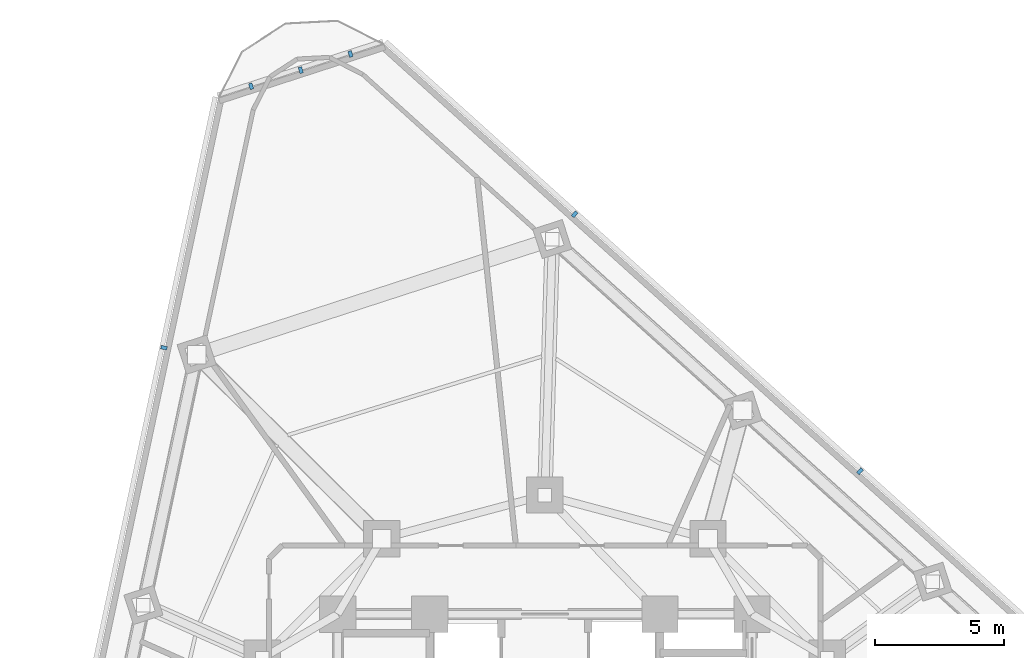
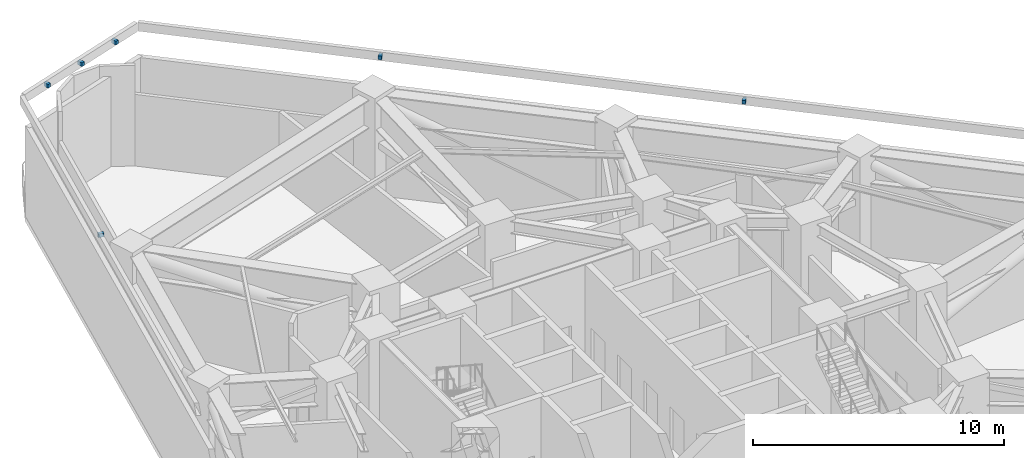
# One storey, part 7 of 10: 6 discrete accessories.
"""IFC4 building model written with IfcOpenShell, lengths in metres."""

from ifc_helpers import new_model, si_unit, direction, frame, origin, origin_2d, place, context, subcontext, project, spatial, rectangle, extrude, material, type_object, element, save


model = new_model("IFC4")

# Units and contexts
model_context = context("Model", 3, precision=1e-05, world=origin(), true_north=direction((0.0, 1.0)))
body_context = subcontext(model_context, "Body", "Model", "MODEL_VIEW")
ifc_project = project(units=[si_unit("LENGTHUNIT", "METRE"), si_unit("AREAUNIT", "SQUARE_METRE"), si_unit("VOLUMEUNIT", "CUBIC_METRE"), si_unit("PLANEANGLEUNIT", "RADIAN"), si_unit("MASSUNIT", "GRAM", prefix="KILO")], contexts=[model_context])

# Site, building, storey
site_placement = place(None, origin())
site = spatial("IfcSite", under=ifc_project, at=site_placement, CompositionType="ELEMENT")
building_placement = place(site_placement, origin())
building = spatial("IfcBuilding", under=site, at=building_placement, Name="Terralouvre Media Tower", CompositionType="ELEMENT")
storey_placement = place(building_placement, frame((0.0, 0.0, 85.199951171875)))
storey = spatial("IfcBuildingStorey", under=building, at=storey_placement, Name="L21", CompositionType="ELEMENT", Elevation=85.199951171875)

# Discrete accessories
ifc_material = material(Name="Anodised extruded aluminium 6063-T6", Category="aluminium")
discrete_accessory_type = type_object("IfcDiscreteAccessoryType", Name="Mullion Stand-Off Baguette Fixing Bracket BK-01", PredefinedType="BRACKET", material=ifc_material)
for number, where, z_axis, x_axis, name in (
    (1, (12.1728515625, 13.519287109375, 5.60595703125), (0.0, 0.0, 1.0), (-0.743144795545, 0.669130639602, 0.0), "CW-L21-F1 Louvre Bracket 02"),
    (2, (1.150634765625, 23.44384765625, 5.60595703125), (0.0, 0.0, 1.0), (-0.743144795545, 0.669130639602, 0.0), "CW-L21-F1 Louvre Bracket 03"),
    (3, (-14.710693359375, 18.290283203125, 5.60595703125), (0.0, 0.0, 1.0), (-0.207911643887, -0.978147610709, 0.0), "CW-L21-F2 Louvre Bracket 01"),
    (4, (-7.5087890625, 29.63427734375, 5.60595703125), (0.0, 0.0, 1.0), (-0.951056286408, -0.309017701894, 0.0), "CW-L21-C2 Louvre Bracket 01"),
    (5, (-9.42626953125, 29.01123046875, 5.60595703125), (0.0, 0.0, 1.0), (-0.951056286408, -0.309017701894, 0.0), "CW-L21-C2 Louvre Bracket 02"),
    (6, (-11.34375, 28.38818359375, 5.60595703125), (0.0, 0.0, 1.0), (-0.951056286408, -0.309017701894, 0.0), "CW-L21-C2 Louvre Bracket 03"),
):
    element("IfcDiscreteAccessory", number, at=place(storey_placement, frame(where, z_axis=z_axis, x_axis=x_axis)), inside=storey, type_object=discrete_accessory_type, Name=name, PredefinedType="BRACKET", context=body_context, shape_type="SweptSolid", body=[
        extrude(rectangle(XDim=0.139892578125, YDim=0.239990234375, at=origin_2d()), origin(), (0.0, 0.0, 1.0), 0.179931640625),
    ])

save(model, "model.ifc")
